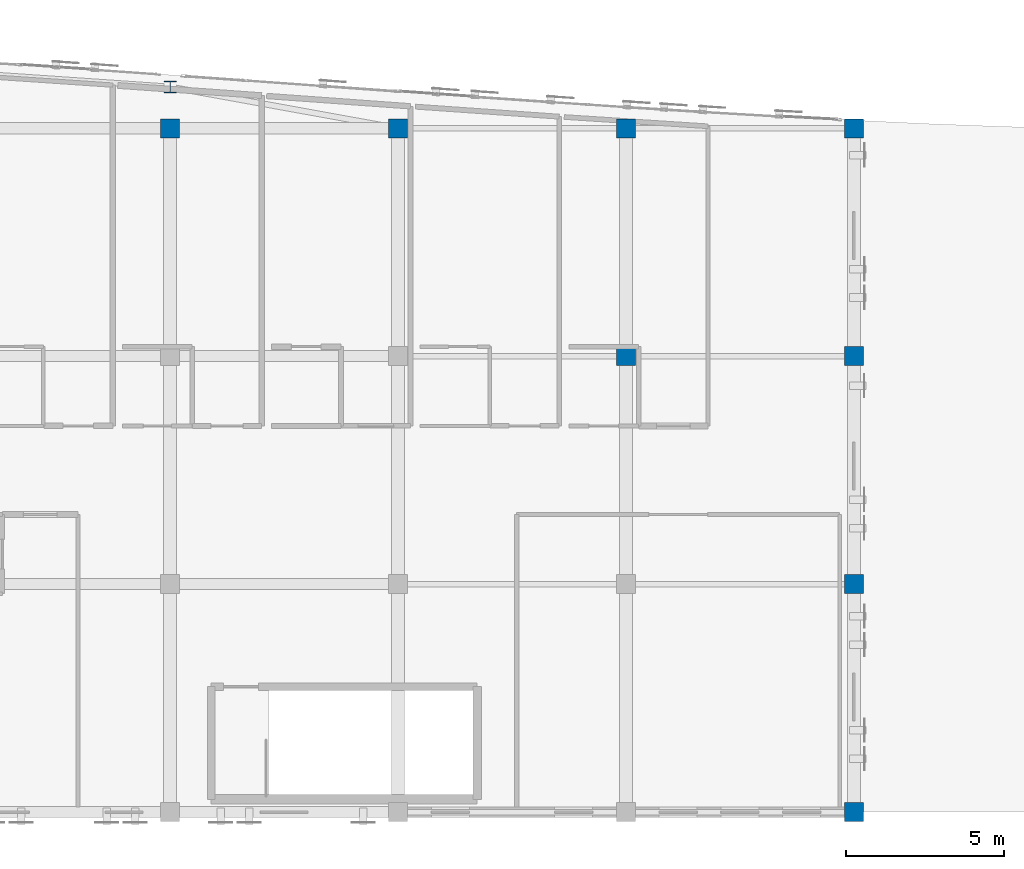
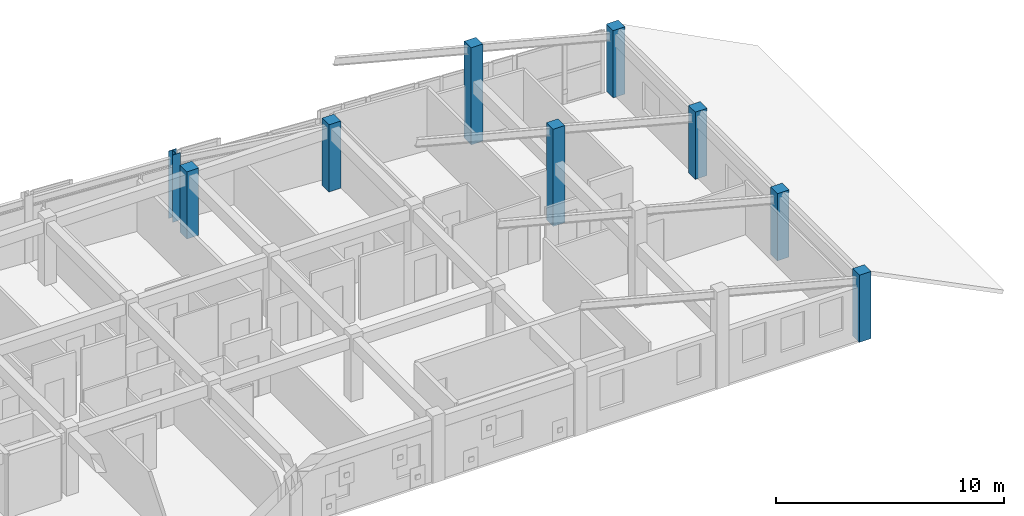
# One storey, part 4 of 45: 9 columns.
"""IFC4 building model written with IfcOpenShell, lengths in metres."""

import ifcopenshell
import ifcopenshell.guid

model = None  # the IFC model being written
_history = None  # IfcOwnerHistory: only IFC2X3 demands one
_inside = {}  # id of a spatial element -> (the spatial element, [elements in it])
_under = {}  # id of a project, library or spatial element -> (it, [spatial elements below it])
_declared = {}  # id of a project -> (the project, [libraries it declares])
_typed = {}  # id of a type object -> (the type object, [elements of that type])
_made_of = {}  # id of a material, layer set ... -> (it, [elements and type objects made of it])


def new_model(schema):
    """Start an empty IFC model of exactly this schema.

    Asked for "IFC4X3", IfcOpenShell would pick the latest addendum, in which some entities
    have other attributes; the version numbers below select the first issue.
    IFC2X3 requires an IfcOwnerHistory on every rooted entity: one is made here for all.
    """
    global model, _history
    if schema == "IFC4X3":
        model = ifcopenshell.file(schema_version=(4, 3, 0, 0))
    else:
        model = ifcopenshell.file(schema=schema)
    _inside.clear()
    _under.clear()
    _declared.clear()
    _typed.clear()
    _made_of.clear()
    _history = None
    if model.schema == "IFC2X3":
        org = make("IfcOrganization", Name="unknown")
        user = make(
            "IfcPersonAndOrganization",
            ThePerson=make("IfcPerson", FamilyName="unknown"),
            TheOrganization=org,
        )
        app = make(
            "IfcApplication",
            ApplicationDeveloper=org,
            Version="unknown",
            ApplicationFullName="unknown",
            ApplicationIdentifier="unknown",
        )
        _history = make(
            "IfcOwnerHistory",
            OwningUser=user,
            OwningApplication=app,
            ChangeAction="ADDED",
            CreationDate=0,
        )
    return model


def make(cls, **values):
    """One entity of the class cls with the attributes given. An attribute that is None is left unset."""
    return model.create_entity(
        cls, **{name: value for name, value in values.items() if value is not None}
    )


def rooted(cls, **values):
    """An entity with a GlobalId (a new one), such as an element, a storey or a relation."""
    return make(cls, GlobalId=ifcopenshell.guid.new(), OwnerHistory=_history, **values)


def si_unit(unit_type, name, prefix=None):
    """IfcSIUnit, for example si_unit("LENGTHUNIT", "METRE", prefix="MILLI")."""
    return make("IfcSIUnit", UnitType=unit_type, Prefix=prefix, Name=name)


def assignment(units):
    """IfcUnitAssignment: the units of a project."""
    return None if units is None else make("IfcUnitAssignment", Units=units)


def point(xyz):
    """IfcCartesianPoint."""
    return None if xyz is None else make("IfcCartesianPoint", Coordinates=xyz)


def direction(xyz):
    """IfcDirection."""
    return None if xyz is None else make("IfcDirection", DirectionRatios=xyz)


def frame(location, z_axis=None, x_axis=None):
    """IfcAxis2Placement3D, a coordinate frame: its origin and axes. An axis left out is left unset."""
    return make(
        "IfcAxis2Placement3D",
        Location=point(location),
        Axis=direction(z_axis),
        RefDirection=direction(x_axis),
    )


def frame_2d(location, x_axis=None):
    """IfcAxis2Placement2D, a coordinate frame in the plane: its origin and x axis."""
    return make(
        "IfcAxis2Placement2D", Location=point(location), RefDirection=direction(x_axis)
    )


def origin():
    """The frame at (0, 0, 0) with its axes left unset."""
    return frame((0.0, 0.0, 0.0))


def origin_2d():
    """The frame at (0, 0) in the plane with its x axis left unset."""
    return frame_2d((0.0, 0.0))


def place(relative_to, where):
    """IfcLocalPlacement: puts the frame where relative to a parent placement (None: the world)."""
    return make(
        "IfcLocalPlacement", PlacementRelTo=relative_to, RelativePlacement=where
    )


def context(
    kind, dimensions, precision=None, world=None, true_north=None, identifier=None
):
    """IfcGeometricRepresentationContext, for example the 3D "Model" context."""
    return make(
        "IfcGeometricRepresentationContext",
        ContextIdentifier=identifier,
        ContextType=kind,
        CoordinateSpaceDimension=dimensions,
        Precision=precision,
        WorldCoordinateSystem=world,
        TrueNorth=true_north,
    )


def subcontext(parent, identifier, kind, view, scale=None):
    """IfcGeometricRepresentationSubContext, for example "Body" below "Model"."""
    return make(
        "IfcGeometricRepresentationSubContext",
        ContextIdentifier=identifier,
        ContextType=kind,
        ParentContext=parent,
        TargetScale=scale,
        TargetView=view,
    )


def project(units=None, contexts=None):
    """IfcProject with its units and contexts."""
    return rooted(
        "IfcProject",
        Name="project",
        RepresentationContexts=contexts,
        UnitsInContext=assignment(units),
    )


def spatial(cls, under=None, at=None, **own):
    """A site, building, storey or space (cls), placed at a placement, below another one or the project."""
    s = rooted(cls, ObjectPlacement=at, **own)
    if under is not None:
        _under.setdefault(under.id(), (under, []))[1].append(s)
    return s


def profile(cls, at=None, kind="AREA", **sizes):
    """A parametric profile (cls). Its sizes go by their IFC names, for example OverallWidth=200.0."""
    return make(cls, ProfileType=kind, Position=at, **sizes)


def rectangle(**sizes):
    """IfcRectangleProfileDef."""
    return profile("IfcRectangleProfileDef", **sizes)


def i_section(**sizes):
    """IfcIShapeProfileDef."""
    return profile("IfcIShapeProfileDef", **sizes)


def extrude(swept, where, along, depth):
    """IfcExtrudedAreaSolid: the profile swept, set in the frame where, extruded along a direction by depth."""
    return make(
        "IfcExtrudedAreaSolid",
        SweptArea=swept,
        Position=where,
        ExtrudedDirection=direction(along),
        Depth=depth,
    )


def shape(context_of_items, identifier, shape_type, items):
    """IfcShapeRepresentation: the items that make up one representation, for example the "Body"."""
    return make(
        "IfcShapeRepresentation",
        ContextOfItems=context_of_items,
        RepresentationIdentifier=identifier,
        RepresentationType=shape_type,
        Items=items,
    )


def material(Name=None, Category=None):
    """IfcMaterial."""
    return make("IfcMaterial", Name=Name, Category=Category)


def material_profile(
    of_material, cross_section, Name=None, Category=None, Priority=None
):
    """IfcMaterialProfile: a cross section and its material."""
    return make(
        "IfcMaterialProfile",
        Name=Name,
        Material=of_material,
        Profile=cross_section,
        Priority=Priority,
        Category=Category,
    )


def profile_set(profiles, Name=None, composite=None):
    """IfcMaterialProfileSet."""
    return make(
        "IfcMaterialProfileSet",
        Name=Name,
        MaterialProfiles=profiles,
        CompositeProfile=composite,
    )


def made_of(thing, what):
    """Note that an element or type object is made of a material, layer set ...; save() writes the relation."""
    if what is not None:
        _made_of.setdefault(what.id(), (what, []))[1].append(thing)
    return thing


def type_object(cls, material=None, **own):
    """A type object (cls), such as IfcWallType, which elements share."""
    return made_of(rooted(cls, **own), material)


def element(
    cls,
    number,
    at=None,
    inside=None,
    cuts=None,
    type_object=None,
    material=None,
    context=None,
    identifier="Body",
    shape_type=None,
    held_by="IfcProductDefinitionShape",
    body=None,
    shapes=None,
    **own,
):
    """One element of the class cls, such as IfcWall. Its Tag is "e" and its number.

    at: its placement. inside: the storey or other place that contains it. cuts: it is an
    opening in that element (IfcRelVoidsElement). A single representation is given by context,
    identifier, shape_type and body (its items); several are given by shapes. held_by: the class
    of the entity that holds the representations. save() writes the other relations.
    """
    e = rooted(cls, Tag="e%d" % number, ObjectPlacement=at, **own)
    if body is not None:
        shapes = [shape(context, identifier, shape_type, body)]
    if shapes is not None:
        e.Representation = make(held_by, Representations=shapes)
    if inside is not None:
        _inside.setdefault(inside.id(), (inside, []))[1].append(e)
    if cuts is not None:
        rooted(
            "IfcRelVoidsElement", RelatingBuildingElement=cuts, RelatedOpeningElement=e
        )
    if type_object is not None:
        _typed.setdefault(type_object.id(), (type_object, []))[1].append(e)
    return made_of(e, material)


def aggregate(whole, parts):
    """IfcRelAggregates: a whole, such as a stair, and the parts it consists of."""
    return rooted("IfcRelAggregates", RelatingObject=whole, RelatedObjects=parts)


def save(model, path):
    """Write the relations noted so far, then the file.

    IfcRelAggregates (storeys below a building ...), IfcRelContainedInSpatialStructure (elements
    in a storey), IfcRelDefinesByType, IfcRelAssociatesMaterial and IfcRelDeclares: one each for
    every whole, place, type object, material and project.
    """
    for whole, parts in _under.values():
        aggregate(whole, parts)
    for where, things in _inside.values():
        rooted(
            "IfcRelContainedInSpatialStructure",
            RelatedElements=things,
            RelatingStructure=where,
        )
    for kind, things in _typed.values():
        rooted("IfcRelDefinesByType", RelatedObjects=things, RelatingType=kind)
    for what, things in _made_of.values():
        rooted("IfcRelAssociatesMaterial", RelatedObjects=things, RelatingMaterial=what)
    for by, libraries in _declared.values():
        rooted("IfcRelDeclares", RelatingContext=by, RelatedDefinitions=libraries)
    model.write(path)


model = new_model("IFC4")

# Units and contexts
model_context = context("Model", 3, precision=1e-05, world=origin(), true_north=direction((0.0, 1.0)))
body_context = subcontext(model_context, "Body", "Model", "MODEL_VIEW")
ifc_project = project(units=[si_unit("LENGTHUNIT", "METRE"), si_unit("AREAUNIT", "SQUARE_METRE"), si_unit("VOLUMEUNIT", "CUBIC_METRE"), si_unit("PLANEANGLEUNIT", "RADIAN"), si_unit("MASSUNIT", "GRAM", prefix="KILO")], contexts=[model_context])

# Site, building, storey
site_placement = place(None, origin())
site = spatial("IfcSite", under=ifc_project, at=site_placement, CompositionType="ELEMENT")
building_placement = place(site_placement, origin())
building = spatial("IfcBuilding", under=site, at=building_placement, Name="Carrowvane Square Congress Hotel", CompositionType="ELEMENT")
storey_placement = place(building_placement, frame((0.0, 0.0, 33.60009765625)))
storey = spatial("IfcBuildingStorey", under=building, at=storey_placement, Name="L08", CompositionType="ELEMENT", Elevation=33.60009765625)

# Columns
ifc_material_1 = material(Name="Concrete C40/50", Category="concrete")
ifc_material_profile_1 = material_profile(ifc_material_1, rectangle(XDim=0.60009765625, YDim=0.60009765625, at=origin_2d()), Name="RC 600x600")
ifc_profile_set_1 = profile_set([ifc_material_profile_1], Name="Concrete C40/50")
column_type_1 = type_object("IfcColumnType", Name="COL-RC-600", PredefinedType="COLUMN", material=ifc_profile_set_1)
for number, where, z_axis, x_axis, name in (
    (1, (134.0, 113.39990234375, 0.0), (0.0, 0.0, 1.0), (1.0, 0.0, 0.0), "L08 column 18/R"),
    (2, (141.199951171875, 113.39990234375, 0.0), (0.0, 0.0, 1.0), (1.0, 0.0, 0.0), "L08 column 19/R"),
):
    element("IfcColumn", number, at=place(storey_placement, frame(where, z_axis=z_axis, x_axis=x_axis)), inside=storey, type_object=column_type_1, Name=name, PredefinedType="COLUMN", context=body_context, shape_type="SweptSolid", body=[
        extrude(rectangle(XDim=0.60009765625, YDim=0.60009765625, at=origin_2d()), origin(), (0.0, 0.0, 1.0), 3.599853515625),
    ])
for number, where, z_axis, x_axis, name in (
    (3, (148.39990234375, 106.199951171875, 0.0), (0.0, 0.0, 1.0), (1.0, 0.0, 0.0), "L08 column 20/Q"),
    (4, (148.39990234375, 113.39990234375, 0.0), (0.0, 0.0, 1.0), (1.0, 0.0, 0.0), "L08 column 20/R"),
):
    element("IfcColumn", number, at=place(storey_placement, frame(where, z_axis=z_axis, x_axis=x_axis)), inside=storey, type_object=column_type_1, Name=name, PredefinedType="COLUMN", context=body_context, shape_type="SweptSolid", body=[
        extrude(rectangle(XDim=0.60009765625, YDim=0.60009765625, at=origin_2d()), origin(), (0.0, 0.0, 1.0), 5.199951171875),
    ])
for number, where, z_axis, x_axis, name in (
    (5, (155.60009765625, 91.800048828125, 0.0), (0.0, 0.0, 1.0), (1.0, 0.0, 0.0), "L08 column 21/N"),
    (6, (155.60009765625, 99.0, 0.0), (0.0, 0.0, 1.0), (1.0, 0.0, 0.0), "L08 column 21/P"),
    (7, (155.60009765625, 106.199951171875, 0.0), (0.0, 0.0, 1.0), (1.0, 0.0, 0.0), "L08 column 21/Q"),
    (8, (155.60009765625, 113.39990234375, 0.0), (0.0, 0.0, 1.0), (1.0, 0.0, 0.0), "L08 column 21/R"),
):
    element("IfcColumn", number, at=place(storey_placement, frame(where, z_axis=z_axis, x_axis=x_axis)), inside=storey, type_object=column_type_1, Name=name, PredefinedType="COLUMN", context=body_context, shape_type="SweptSolid", body=[
        extrude(rectangle(XDim=0.60009765625, YDim=0.60009765625, at=origin_2d()), origin(), (0.0, 0.0, 1.0), 3.599853515625),
    ])
ifc_material_2 = material(Name="Steel S355", Category="steel")
ifc_material_profile_2 = material_profile(ifc_material_2, i_section(OverallWidth=0.394775390625, OverallDepth=0.381103515625, WebThickness=0.018310546875, FlangeThickness=0.0302734375, FilletRadius=0.01513671875, at=origin_2d()), Name="UKC 356x406x235")
ifc_profile_set_2 = profile_set([ifc_material_profile_2], Name="Steel S355")
column_type_2 = type_object("IfcColumnType", Name="COL-ST-UKC406", PredefinedType="COLUMN", material=ifc_profile_set_2)
column_placement = place(storey_placement, frame((134.0, 114.7060546875, 0.0), z_axis=(0.0, 0.0, 1.0), x_axis=(1.0, 0.0, 0.0)))
element("IfcColumn", 9, at=column_placement, inside=storey, type_object=column_type_2, Name="L08 column 18/ARC", PredefinedType="COLUMN", context=body_context, shape_type="SweptSolid", body=[
    extrude(i_section(OverallWidth=0.394775390625, OverallDepth=0.381103515625, WebThickness=0.018310546875, FlangeThickness=0.0302734375, FilletRadius=0.01513671875, at=origin_2d()), origin(), (0.0, 0.0, 1.0), 3.599853515625),
])

save(model, "model.ifc")
